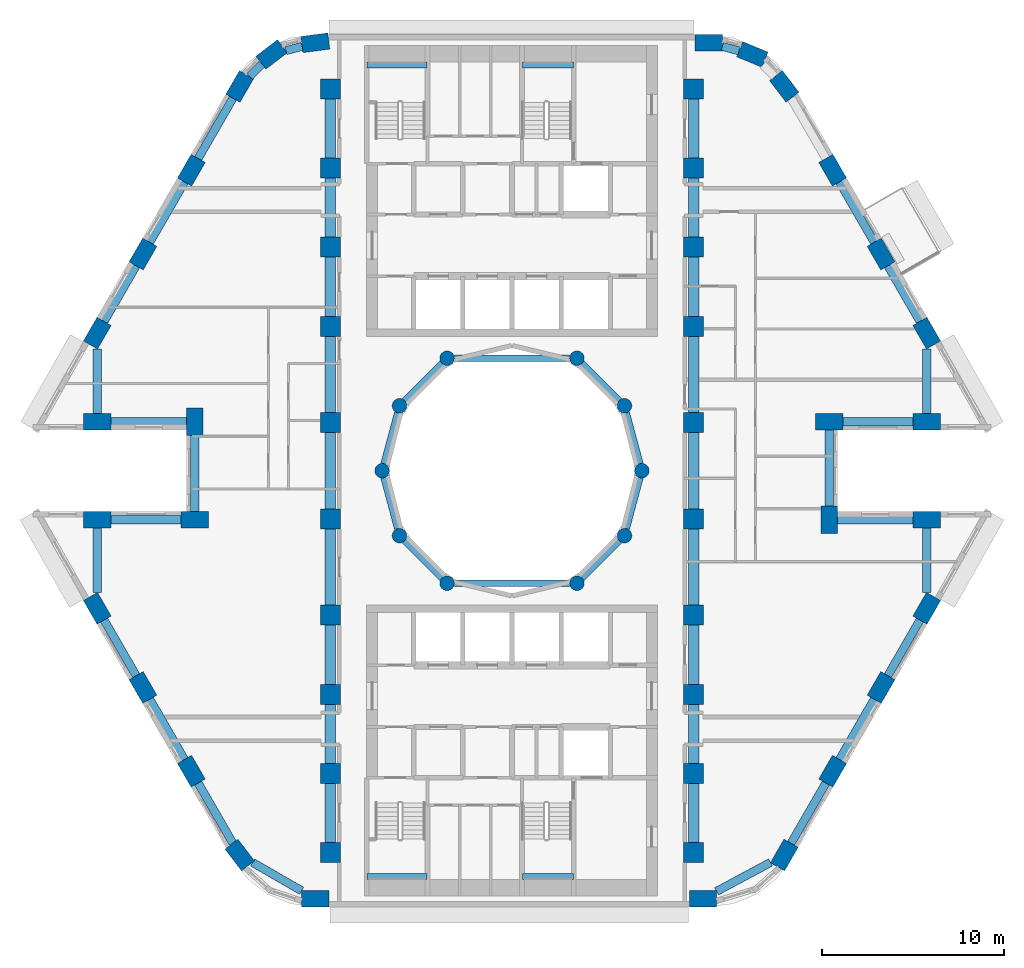
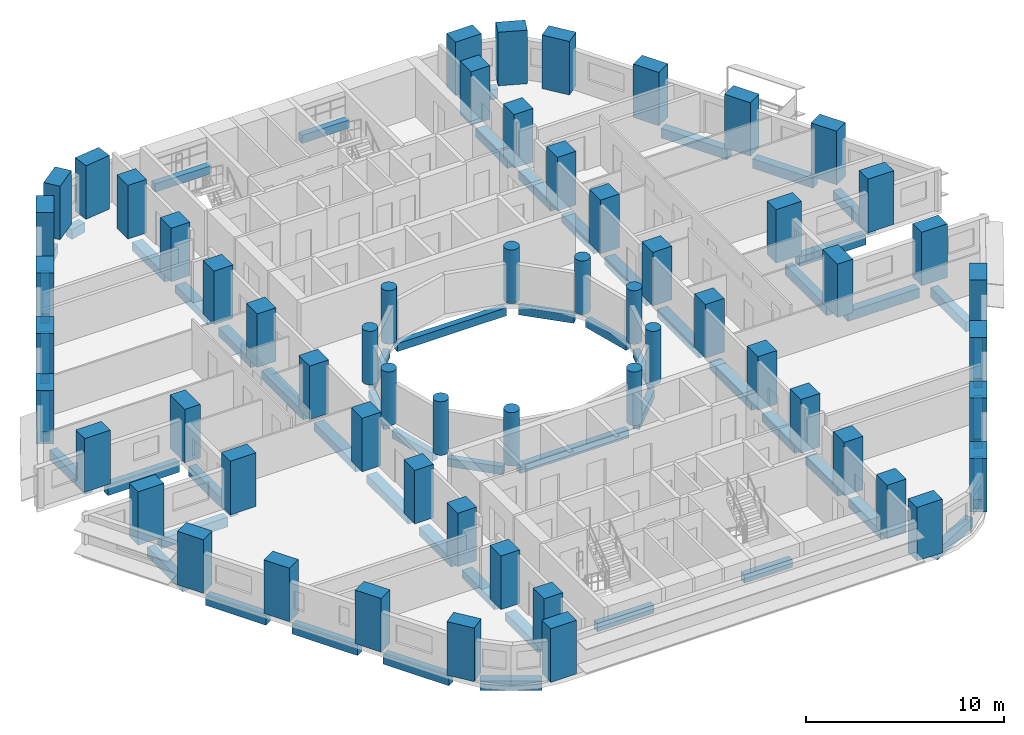
# One storey, part 1 of 13: 60 columns, 58 beams.
"""IFC4 building model written with IfcOpenShell, lengths in metres."""

from ifc_helpers import new_model, si_unit, direction, frame, origin, origin_2d, place, context, subcontext, project, spatial, rectangle, circle, extrude, material, material_profile, profile_set, type_object, element, save


model = new_model("IFC4")

# Units and contexts
model_context = context("Model", 3, precision=1e-05, world=origin(), true_north=direction((0.0, 1.0)))
body_context = subcontext(model_context, "Body", "Model", "MODEL_VIEW")
ifc_project = project(units=[si_unit("LENGTHUNIT", "METRE"), si_unit("AREAUNIT", "SQUARE_METRE"), si_unit("VOLUMEUNIT", "CUBIC_METRE"), si_unit("PLANEANGLEUNIT", "RADIAN"), si_unit("MASSUNIT", "GRAM", prefix="KILO")], contexts=[model_context])

# Site, building, storey
site_placement = place(None, origin())
site = spatial("IfcSite", under=ifc_project, at=site_placement, CompositionType="ELEMENT")
building_placement = place(site_placement, origin())
building = spatial("IfcBuilding", under=site, at=building_placement, Name="Nakaniwa Court", CompositionType="ELEMENT")
storey_placement = place(building_placement, frame((0.0, 0.0, 61.199951171875)))
storey = spatial("IfcBuildingStorey", under=building, at=storey_placement, Name="L16", CompositionType="ELEMENT", Elevation=61.199951171875)

# Columns
ifc_material_1 = material(Name="Concrete C100/115", Category="concrete")
ifc_material_profile_1 = material_profile(ifc_material_1, rectangle(XDim=1.10009765625, YDim=1.10009765625, at=origin_2d()), Name="Concrete C100/115 RC 1100x1100 spine column")
ifc_profile_set_1 = profile_set([ifc_material_profile_1], Name="Concrete C100/115")
column_type_1 = type_object("IfcColumnType", Name="Concrete C100/115 RC 1100x1100 spine column", PredefinedType="COLUMN", material=ifc_profile_set_1)
for number, where, z_axis, x_axis, name in (
    (1, (90.0, 59.0, 0.0), (0.0, 0.0, 1.0), (0.0, 1.0, 0.0), "COLUMN CS-01"),
    (2, (90.0, 63.35009765625, 0.0), (0.0, 0.0, 1.0), (0.0, 1.0, 0.0), "COLUMN CS-02"),
    (3, (90.0, 67.699951171875, 0.0), (0.0, 0.0, 1.0), (0.0, 1.0, 0.0), "COLUMN CS-03"),
    (4, (90.0, 72.050048828125, 0.0), (0.0, 0.0, 1.0), (0.0, 1.0, 0.0), "COLUMN CS-04"),
    (5, (90.0, 77.35009765625, 0.0), (0.0, 0.0, 1.0), (0.0, 1.0, 0.0), "COLUMN CS-05"),
    (6, (90.0, 82.64990234375, 0.0), (0.0, 0.0, 1.0), (0.0, 1.0, 0.0), "COLUMN CS-06"),
    (7, (90.0, 87.949951171875, 0.0), (0.0, 0.0, 1.0), (0.0, 1.0, 0.0), "COLUMN CS-07"),
    (8, (90.0, 92.300048828125, 0.0), (0.0, 0.0, 1.0), (0.0, 1.0, 0.0), "COLUMN CS-08"),
    (9, (90.0, 96.64990234375, 0.0), (0.0, 0.0, 1.0), (0.0, 1.0, 0.0), "COLUMN CS-09"),
    (10, (90.0, 101.0, 0.0), (0.0, 0.0, 1.0), (0.0, 1.0, 0.0), "COLUMN CS-10"),
    (11, (70.0, 101.0, 0.0), (0.0, 0.0, 1.0), (0.0, -1.0, 0.0), "COLUMN CS-11"),
    (12, (70.0, 96.64990234375, 0.0), (0.0, 0.0, 1.0), (0.0, -1.0, 0.0), "COLUMN CS-12"),
    (13, (70.0, 92.300048828125, 0.0), (0.0, 0.0, 1.0), (0.0, -1.0, 0.0), "COLUMN CS-13"),
    (14, (70.0, 87.949951171875, 0.0), (0.0, 0.0, 1.0), (0.0, -1.0, 0.0), "COLUMN CS-14"),
    (15, (70.0, 82.64990234375, 0.0), (0.0, 0.0, 1.0), (0.0, -1.0, 0.0), "COLUMN CS-15"),
    (16, (70.0, 77.35009765625, 0.0), (0.0, 0.0, 1.0), (0.0, -1.0, 0.0), "COLUMN CS-16"),
    (17, (70.0, 72.050048828125, 0.0), (0.0, 0.0, 1.0), (0.0, -1.0, 0.0), "COLUMN CS-17"),
    (18, (70.0, 67.699951171875, 0.0), (0.0, 0.0, 1.0), (0.0, -1.0, 0.0), "COLUMN CS-18"),
    (19, (70.0, 63.35009765625, 0.0), (0.0, 0.0, 1.0), (0.0, -1.0, 0.0), "COLUMN CS-19"),
    (20, (70.0, 59.0, 0.0), (0.0, 0.0, 1.0), (0.0, -1.0, 0.0), "COLUMN CS-20"),
):
    element("IfcColumn", number, at=place(storey_placement, frame(where, z_axis=z_axis, x_axis=x_axis)), inside=storey, type_object=column_type_1, Name=name, PredefinedType="COLUMN", context=body_context, shape_type="SweptSolid", body=[
        extrude(rectangle(XDim=1.10009765625, YDim=1.10009765625, at=origin_2d()), origin(), (0.0, 0.0, 1.0), 3.300048828125),
    ])
ifc_material_profile_2 = material_profile(ifc_material_1, rectangle(XDim=1.5, YDim=0.89990234375, at=origin_2d()), Name="Concrete C100/115 RC 1500x900 perimeter column")
ifc_profile_set_2 = profile_set([ifc_material_profile_2], Name="Concrete C100/115")
column_type_2 = type_object("IfcColumnType", Name="Concrete C100/115 RC 1500x900 perimeter column", PredefinedType="COLUMN", material=ifc_profile_set_2)
for number, where, z_axis, x_axis, name in (
    (21, (69.17529296875, 103.550048828125, 0.0), (0.0, 0.0, 1.0), (-0.991442583111, -0.130543496177, 0.0), "COLUMN CO-01"),
    (22, (66.772705078125, 102.91015625, 0.0), (0.0, 0.0, 1.0), (-0.793363965062, -0.608747582288, 0.0), "COLUMN CO-02"),
    (23, (65.017578125, 101.1494140625, 0.0), (0.0, 0.0, 1.0), (-0.5, -0.866025403784, 0.0), "COLUMN CO-03"),
    (24, (62.3544921875, 96.537109375, 0.0), (0.0, 0.0, 1.0), (-0.5, -0.866025403784, 0.0), "COLUMN CO-04"),
    (25, (59.691650390625, 91.9248046875, 0.0), (0.0, 0.0, 1.0), (-0.5, -0.866025403784, 0.0), "COLUMN CO-05"),
    (26, (57.177001953125, 87.569580078125, 0.0), (0.0, 0.0, 1.0), (-0.5, -0.866025403784, 0.0), "COLUMN CO-06"),
    (27, (57.177001953125, 82.699951171875, 0.0), (0.0, 0.0, 1.0), (1.0, 0.0, 0.0), "COLUMN CO-08"),
    (28, (62.54150390625, 82.699951171875, 0.0), (0.0, 0.0, 1.0), (0.0, -1.0, 0.0), "COLUMN CO-09"),
    (29, (62.54150390625, 77.300048828125, 0.0), (0.0, 0.0, 1.0), (-1.0, 0.0, 0.0), "COLUMN CO-10"),
    (30, (57.177001953125, 77.300048828125, 0.0), (0.0, 0.0, 1.0), (-1.0, 0.0, 0.0), "COLUMN CO-11"),
    (31, (57.177001953125, 72.430419921875, 0.0), (0.0, 0.0, 1.0), (0.5, -0.866025403784, 0.0), "COLUMN CO-13"),
    (32, (59.691650390625, 68.0751953125, 0.0), (0.0, 0.0, 1.0), (0.5, -0.866025403784, 0.0), "COLUMN CO-14"),
    (33, (62.3544921875, 63.462890625, 0.0), (0.0, 0.0, 1.0), (0.5, -0.866025403784, 0.0), "COLUMN CO-15"),
    (34, (65.017578125, 58.8505859375, 0.0), (0.0, 0.0, 1.0), (0.608761429009, -0.793353340291, 0.0), "COLUMN CO-16"),
    (35, (69.17529296875, 56.449951171875, 0.0), (0.0, 0.0, 1.0), (1.0, 0.0, 0.0), "COLUMN CO-17"),
    (36, (90.507080078125, 56.449951171875, 0.0), (0.0, 0.0, 1.0), (1.0, 0.0, 0.0), "COLUMN CO-21"),
    (37, (94.982421875, 58.8505859375, 0.0), (0.0, 0.0, 1.0), (0.5, 0.866025403784, 0.0), "COLUMN CO-22"),
    (38, (97.6455078125, 63.462890625, 0.0), (0.0, 0.0, 1.0), (0.5, 0.866025403784, 0.0), "COLUMN CO-23"),
    (39, (100.308349609375, 68.0751953125, 0.0), (0.0, 0.0, 1.0), (0.5, 0.866025403784, 0.0), "COLUMN CO-24"),
    (40, (102.822998046875, 72.430419921875, 0.0), (0.0, 0.0, 1.0), (0.5, 0.866025403784, 0.0), "COLUMN CO-25"),
    (41, (102.822998046875, 77.300048828125, 0.0), (0.0, 0.0, 1.0), (-1.0, 0.0, 0.0), "COLUMN CO-27"),
    (42, (97.45849609375, 77.300048828125, 0.0), (0.0, 0.0, 1.0), (0.0, 1.0, 0.0), "COLUMN CO-28"),
    (43, (97.45849609375, 82.699951171875, 0.0), (0.0, 0.0, 1.0), (1.0, 0.0, 0.0), "COLUMN CO-29"),
    (44, (102.822998046875, 82.699951171875, 0.0), (0.0, 0.0, 1.0), (1.0, 0.0, 0.0), "COLUMN CO-30"),
    (45, (102.822998046875, 87.569580078125, 0.0), (0.0, 0.0, 1.0), (-0.5, 0.866025403784, 0.0), "COLUMN CO-32"),
    (46, (100.308349609375, 91.9248046875, 0.0), (0.0, 0.0, 1.0), (-0.5, 0.866025403784, 0.0), "COLUMN CO-33"),
    (47, (97.6455078125, 96.537109375, 0.0), (0.0, 0.0, 1.0), (-0.5, 0.866025403784, 0.0), "COLUMN CO-34"),
    (48, (94.982421875, 101.1494140625, 0.0), (0.0, 0.0, 1.0), (-0.608761429009, 0.793353340291, 0.0), "COLUMN CO-35"),
    (49, (93.227294921875, 102.91015625, 0.0), (0.0, 0.0, 1.0), (-0.923879532511, 0.382683432365, 0.0), "COLUMN CO-36"),
    (50, (90.82470703125, 103.550048828125, 0.0), (0.0, 0.0, 1.0), (-1.0, 0.0, 0.0), "COLUMN CO-37"),
):
    element("IfcColumn", number, at=place(storey_placement, frame(where, z_axis=z_axis, x_axis=x_axis)), inside=storey, type_object=column_type_2, Name=name, PredefinedType="COLUMN", context=body_context, shape_type="SweptSolid", body=[
        extrude(rectangle(XDim=1.5, YDim=0.89990234375, at=origin_2d()), origin(), (0.0, 0.0, 1.0), 3.300048828125),
    ])
ifc_material_profile_3 = material_profile(ifc_material_1, circle(Radius=0.39990234375, at=origin_2d()), Name="Concrete C100/115 RC D800 inner ring column")
ifc_profile_set_3 = profile_set([ifc_material_profile_3], Name="Concrete C100/115")
column_type_3 = type_object("IfcColumnType", Name="Concrete C100/115 RC D800 inner ring column", PredefinedType="COLUMN", material=ifc_profile_set_3)
for number, where, z_axis, x_axis, name in (
    (51, (87.14990234375, 80.0, 0.0), (0.0, 0.0, 1.0), (0.0, 1.0, 0.0), "COLUMN CI-01"),
    (52, (86.192138671875, 83.574951171875, 0.0), (0.0, 0.0, 1.0), (-0.5, 0.866025403784, 0.0), "COLUMN CI-02"),
    (53, (83.574951171875, 86.192138671875, 0.0), (0.0, 0.0, 1.0), (-0.866025403784, 0.5, 0.0), "COLUMN CI-03"),
    (54, (76.425048828125, 86.192138671875, 0.0), (0.0, 0.0, 1.0), (-0.866025403784, -0.5, 0.0), "COLUMN CI-05"),
    (55, (73.807861328125, 83.574951171875, 0.0), (0.0, 0.0, 1.0), (-0.5, -0.866025403784, 0.0), "COLUMN CI-06"),
    (56, (72.85009765625, 80.0, 0.0), (0.0, 0.0, 1.0), (0.0, -1.0, 0.0), "COLUMN CI-07"),
    (57, (73.807861328125, 76.425048828125, 0.0), (0.0, 0.0, 1.0), (0.5, -0.866025403784, 0.0), "COLUMN CI-08"),
    (58, (76.425048828125, 73.807861328125, 0.0), (0.0, 0.0, 1.0), (0.866025403784, -0.5, 0.0), "COLUMN CI-09"),
    (59, (83.574951171875, 73.807861328125, 0.0), (0.0, 0.0, 1.0), (0.866025403784, 0.5, 0.0), "COLUMN CI-11"),
    (60, (86.192138671875, 76.425048828125, 0.0), (0.0, 0.0, 1.0), (0.5, 0.866025403784, 0.0), "COLUMN CI-12"),
):
    element("IfcColumn", number, at=place(storey_placement, frame(where, z_axis=z_axis, x_axis=x_axis)), inside=storey, type_object=column_type_3, Name=name, PredefinedType="COLUMN", context=body_context, shape_type="SweptSolid", body=[
        extrude(circle(Radius=0.39990234375, at=origin_2d()), origin(), (0.0, 0.0, 1.0), 3.300048828125),
    ])

# Beams
ifc_material_profile_4 = material_profile(ifc_material_1, rectangle(XDim=0.35009765625, YDim=0.5, at=origin_2d()), Name="Concrete C100/115 RC 350x500 ring beam")
ifc_profile_set_4 = profile_set([ifc_material_profile_4], Name="Concrete C100/115")
beam_type_1 = type_object("IfcBeamType", Name="Concrete C100/115 RC 350x500 ring beam", PredefinedType="BEAM", material=ifc_profile_set_4)
beam_1_placement = place(storey_placement, frame((87.04638671875, 80.386474609375, -0.52490234375), z_axis=(-0.258778150207, 0.965936783115, 0.0), x_axis=(-0.965936783115, -0.258778150207, 0.0)))
element("IfcBeam", 61, at=beam_1_placement, inside=storey, type_object=beam_type_1, Name="RING BEAM", PredefinedType="BEAM", context=body_context, shape_type="SweptSolid", body=[
    extrude(rectangle(XDim=0.35009765625, YDim=0.5, at=origin_2d()), origin(), (0.0, 0.0, 1.0), 2.901123046875),
])
beam_2_placement = place(storey_placement, frame((85.9091796875, 83.85791015625, -0.52490234375), z_axis=(-0.707106781187, 0.707106781187, 0.0), x_axis=(-0.707106781187, -0.707106781187, 0.0)))
element("IfcBeam", 62, at=beam_2_placement, inside=storey, type_object=beam_type_1, Name="RING BEAM", PredefinedType="BEAM", context=body_context, shape_type="SweptSolid", body=[
    extrude(rectangle(XDim=0.35009765625, YDim=0.5, at=origin_2d()), origin(), (0.0, 0.0, 1.0), 2.90087890625),
])
beam_3_placement = place(storey_placement, frame((83.175048828125, 86.192138671875, -0.52490234375), z_axis=(-1.0, 0.0, 0.0), x_axis=(0.0, -1.0, 0.0)))
element("IfcBeam", 63, at=beam_3_placement, inside=storey, type_object=beam_type_1, Name="RING BEAM", PredefinedType="BEAM", context=body_context, shape_type="SweptSolid", body=[
    extrude(rectangle(XDim=0.35009765625, YDim=0.5, at=origin_2d()), origin(), (0.0, 0.0, 1.0), 6.35009765625),
])
beam_4_placement = place(storey_placement, frame((76.14208984375, 85.9091796875, -0.52490234375), z_axis=(-0.707106781187, -0.707106781187, 0.0), x_axis=(0.707106781187, -0.707106781187, 0.0)))
element("IfcBeam", 64, at=beam_4_placement, inside=storey, type_object=beam_type_1, Name="RING BEAM", PredefinedType="BEAM", context=body_context, shape_type="SweptSolid", body=[
    extrude(rectangle(XDim=0.35009765625, YDim=0.5, at=origin_2d()), origin(), (0.0, 0.0, 1.0), 2.90087890625),
])
for number, where, z_axis, x_axis, name in (
    (65, (73.704345703125, 83.188720703125, -0.52490234375), (-0.258778150207, -0.965936783115, 0.0), (0.965936783115, -0.258778150207, 0.0), "RING BEAM"),
    (66, (72.95361328125, 79.613525390625, -0.52490234375), (0.258778150207, -0.965936783115, 0.0), (0.965936783115, 0.258778150207, 0.0), "RING BEAM"),
):
    element("IfcBeam", number, at=place(storey_placement, frame(where, z_axis=z_axis, x_axis=x_axis)), inside=storey, type_object=beam_type_1, Name=name, PredefinedType="BEAM", context=body_context, shape_type="SweptSolid", body=[
        extrude(rectangle(XDim=0.35009765625, YDim=0.5, at=origin_2d()), origin(), (0.0, 0.0, 1.0), 2.901123046875),
    ])
beam_5_placement = place(storey_placement, frame((74.0908203125, 76.14208984375, -0.52490234375), z_axis=(0.707106781187, -0.707106781187, 0.0), x_axis=(0.707106781187, 0.707106781187, 0.0)))
element("IfcBeam", 67, at=beam_5_placement, inside=storey, type_object=beam_type_1, Name="RING BEAM", PredefinedType="BEAM", context=body_context, shape_type="SweptSolid", body=[
    extrude(rectangle(XDim=0.35009765625, YDim=0.5, at=origin_2d()), origin(), (0.0, 0.0, 1.0), 2.90087890625),
])
beam_6_placement = place(storey_placement, frame((76.824951171875, 73.807861328125, -0.52490234375), z_axis=(1.0, 0.0, 0.0), x_axis=(0.0, 1.0, 0.0)))
element("IfcBeam", 68, at=beam_6_placement, inside=storey, type_object=beam_type_1, Name="RING BEAM", PredefinedType="BEAM", context=body_context, shape_type="SweptSolid", body=[
    extrude(rectangle(XDim=0.35009765625, YDim=0.5, at=origin_2d()), origin(), (0.0, 0.0, 1.0), 6.35009765625),
])
beam_7_placement = place(storey_placement, frame((83.85791015625, 74.0908203125, -0.52490234375), z_axis=(0.707106781187, 0.707106781187, 0.0), x_axis=(-0.707106781187, 0.707106781187, 0.0)))
element("IfcBeam", 69, at=beam_7_placement, inside=storey, type_object=beam_type_1, Name="RING BEAM", PredefinedType="BEAM", context=body_context, shape_type="SweptSolid", body=[
    extrude(rectangle(XDim=0.35009765625, YDim=0.5, at=origin_2d()), origin(), (0.0, 0.0, 1.0), 2.90087890625),
])
beam_8_placement = place(storey_placement, frame((86.295654296875, 76.811279296875, -0.52490234375), z_axis=(0.258778150207, 0.965936783115, 0.0), x_axis=(-0.965936783115, 0.258778150207, 0.0)))
element("IfcBeam", 70, at=beam_8_placement, inside=storey, type_object=beam_type_1, Name="RING BEAM", PredefinedType="BEAM", context=body_context, shape_type="SweptSolid", body=[
    extrude(rectangle(XDim=0.35009765625, YDim=0.5, at=origin_2d()), origin(), (0.0, 0.0, 1.0), 2.901123046875),
])
ifc_material_profile_5 = material_profile(ifc_material_1, rectangle(XDim=0.449951171875, YDim=0.60009765625, at=origin_2d()), Name="Concrete C100/115 RC 450x600 spandrel beam")
ifc_profile_set_5 = profile_set([ifc_material_profile_5], Name="Concrete C100/115")
beam_type_2 = type_object("IfcBeamType", Name="Concrete C100/115 RC 450x600 spandrel beam", PredefinedType="BEAM", material=ifc_profile_set_5)
beam_9_placement = place(storey_placement, frame((68.444580078125, 103.35546875, -0.574951171875), z_axis=(-0.966287893493, -0.25746399144, 0.0), x_axis=(0.25746399144, -0.966287893493, 0.0)))
element("IfcBeam", 71, at=beam_9_placement, inside=storey, type_object=beam_type_2, Name="SPANDREL BEAM", PredefinedType="BEAM", context=body_context, shape_type="SweptSolid", body=[
    extrude(rectangle(XDim=0.449951171875, YDim=0.60009765625, at=origin_2d()), origin(), (0.0, 0.0, 1.0), 0.91796875),
])
beam_10_placement = place(storey_placement, frame((66.238525390625, 102.374267578125, -0.574951171875), z_axis=(-0.706081618928, -0.708130459317, 0.0), x_axis=(0.708130459317, -0.706081618928, 0.0)))
element("IfcBeam", 72, at=beam_10_placement, inside=storey, type_object=beam_type_2, Name="SPANDREL BEAM", PredefinedType="BEAM", context=body_context, shape_type="SweptSolid", body=[
    extrude(rectangle(XDim=0.449951171875, YDim=0.60009765625, at=origin_2d()), origin(), (0.0, 0.0, 1.0), 0.953369140625),
])
beam_11_placement = place(storey_placement, frame((64.642578125, 100.5, -0.574951171875), z_axis=(-0.500009674092, -0.866019818373, 0.0), x_axis=(0.866019818373, -0.500009674092, 0.0)))
element("IfcBeam", 73, at=beam_11_placement, inside=storey, type_object=beam_type_2, Name="SPANDREL BEAM", PredefinedType="BEAM", context=body_context, shape_type="SweptSolid", body=[
    extrude(rectangle(XDim=0.449951171875, YDim=0.60009765625, at=origin_2d()), origin(), (0.0, 0.0, 1.0), 3.826171875),
])
beam_12_placement = place(storey_placement, frame((61.9794921875, 95.8876953125, -0.574951171875), z_axis=(-0.499961815444, -0.866047448526, 0.0), x_axis=(0.866047448526, -0.499961815444, 0.0)))
element("IfcBeam", 74, at=beam_12_placement, inside=storey, type_object=beam_type_2, Name="SPANDREL BEAM", PredefinedType="BEAM", context=body_context, shape_type="SweptSolid", body=[
    extrude(rectangle(XDim=0.449951171875, YDim=0.60009765625, at=origin_2d()), origin(), (0.0, 0.0, 1.0), 3.825927734375),
])
beam_13_placement = place(storey_placement, frame((59.316650390625, 91.275146484375, -0.574951171875), z_axis=(-0.500067800301, -0.865986255723, 0.0), x_axis=(0.865986255723, -0.500067800301, 0.0)))
element("IfcBeam", 75, at=beam_13_placement, inside=storey, type_object=beam_type_2, Name="SPANDREL BEAM", PredefinedType="BEAM", context=body_context, shape_type="SweptSolid", body=[
    extrude(rectangle(XDim=0.449951171875, YDim=0.60009765625, at=origin_2d()), origin(), (0.0, 0.0, 1.0), 3.52880859375),
])
beam_14_placement = place(storey_placement, frame((57.177001953125, 86.70361328125, -0.574951171875), z_axis=(0.0, -1.0, 0.0), x_axis=(1.0, 0.0, 0.0)))
element("IfcBeam", 76, at=beam_14_placement, inside=storey, type_object=beam_type_2, Name="SPANDREL BEAM", PredefinedType="BEAM", context=body_context, shape_type="SweptSolid", body=[
    extrude(rectangle(XDim=0.449951171875, YDim=0.60009765625, at=origin_2d()), origin(), (0.0, 0.0, 1.0), 3.5537109375),
])
beam_15_placement = place(storey_placement, frame((57.927001953125, 82.699951171875, -0.574951171875), z_axis=(1.0, 0.0, 0.0), x_axis=(0.0, 1.0, 0.0)))
element("IfcBeam", 77, at=beam_15_placement, inside=storey, type_object=beam_type_2, Name="SPANDREL BEAM", PredefinedType="BEAM", context=body_context, shape_type="SweptSolid", body=[
    extrude(rectangle(XDim=0.449951171875, YDim=0.60009765625, at=origin_2d()), origin(), (0.0, 0.0, 1.0), 4.16455078125),
])
beam_16_placement = place(storey_placement, frame((62.54150390625, 81.949951171875, -0.574951171875), z_axis=(0.0, -1.0, 0.0), x_axis=(1.0, 0.0, 0.0)))
element("IfcBeam", 78, at=beam_16_placement, inside=storey, type_object=beam_type_2, Name="SPANDREL BEAM", PredefinedType="BEAM", context=body_context, shape_type="SweptSolid", body=[
    extrude(rectangle(XDim=0.449951171875, YDim=0.60009765625, at=origin_2d()), origin(), (0.0, 0.0, 1.0), 4.199951171875),
])
beam_17_placement = place(storey_placement, frame((61.79150390625, 77.300048828125, -0.574951171875), z_axis=(-1.0, 0.0, 0.0), x_axis=(0.0, -1.0, 0.0)))
element("IfcBeam", 79, at=beam_17_placement, inside=storey, type_object=beam_type_2, Name="SPANDREL BEAM", PredefinedType="BEAM", context=body_context, shape_type="SweptSolid", body=[
    extrude(rectangle(XDim=0.449951171875, YDim=0.60009765625, at=origin_2d()), origin(), (0.0, 0.0, 1.0), 3.864501953125),
])
beam_18_placement = place(storey_placement, frame((57.177001953125, 76.85009765625, -0.574951171875), z_axis=(0.0, -1.0, 0.0), x_axis=(1.0, 0.0, 0.0)))
element("IfcBeam", 80, at=beam_18_placement, inside=storey, type_object=beam_type_2, Name="SPANDREL BEAM", PredefinedType="BEAM", context=body_context, shape_type="SweptSolid", body=[
    extrude(rectangle(XDim=0.449951171875, YDim=0.60009765625, at=origin_2d()), origin(), (0.0, 0.0, 1.0), 3.5537109375),
])
beam_19_placement = place(storey_placement, frame((57.552001953125, 71.78076171875, -0.574951171875), z_axis=(0.500067800301, -0.865986255723, 0.0), x_axis=(0.865986255723, 0.500067800301, 0.0)))
element("IfcBeam", 81, at=beam_19_placement, inside=storey, type_object=beam_type_2, Name="SPANDREL BEAM", PredefinedType="BEAM", context=body_context, shape_type="SweptSolid", body=[
    extrude(rectangle(XDim=0.449951171875, YDim=0.60009765625, at=origin_2d()), origin(), (0.0, 0.0, 1.0), 3.52880859375),
])
beam_20_placement = place(storey_placement, frame((60.066650390625, 67.42578125, -0.574951171875), z_axis=(0.499961815444, -0.866047448526, 0.0), x_axis=(0.866047448526, 0.499961815444, 0.0)))
element("IfcBeam", 82, at=beam_20_placement, inside=storey, type_object=beam_type_2, Name="SPANDREL BEAM", PredefinedType="BEAM", context=body_context, shape_type="SweptSolid", body=[
    extrude(rectangle(XDim=0.449951171875, YDim=0.60009765625, at=origin_2d()), origin(), (0.0, 0.0, 1.0), 3.825927734375),
])
beam_21_placement = place(storey_placement, frame((62.7294921875, 62.8134765625, -0.574951171875), z_axis=(0.500023067617, -0.86601208528, 0.0), x_axis=(0.86601208528, 0.500023067617, 0.0)))
element("IfcBeam", 83, at=beam_21_placement, inside=storey, type_object=beam_type_2, Name="SPANDREL BEAM", PredefinedType="BEAM", context=body_context, shape_type="SweptSolid", body=[
    extrude(rectangle(XDim=0.449951171875, YDim=0.60009765625, at=origin_2d()), origin(), (0.0, 0.0, 1.0), 3.819580078125),
])
beam_22_placement = place(storey_placement, frame((65.720458984375, 58.444580078125, -0.574951171875), z_axis=(0.866041096587, -0.499972818284, 0.0), x_axis=(0.499972818284, 0.866041096587, 0.0)))
element("IfcBeam", 84, at=beam_22_placement, inside=storey, type_object=beam_type_2, Name="SPANDREL BEAM", PredefinedType="BEAM", context=body_context, shape_type="SweptSolid", body=[
    extrude(rectangle(XDim=0.449951171875, YDim=0.60009765625, at=origin_2d()), origin(), (0.0, 0.0, 1.0), 3.123291015625),
])
beam_23_placement = place(storey_placement, frame((91.257080078125, 56.852294921875, -0.574951171875), z_axis=(0.881234537383, 0.472679267711, 0.0), x_axis=(-0.472679267711, 0.881234537383, 0.0)))
element("IfcBeam", 85, at=beam_23_placement, inside=storey, type_object=beam_type_2, Name="SPANDREL BEAM", PredefinedType="BEAM", context=body_context, shape_type="SweptSolid", body=[
    extrude(rectangle(XDim=0.449951171875, YDim=0.60009765625, at=origin_2d()), origin(), (0.0, 0.0, 1.0), 3.373291015625),
])
beam_24_placement = place(storey_placement, frame((95.357421875, 59.5, -0.574951171875), z_axis=(0.500009674092, 0.866019818373, 0.0), x_axis=(-0.866019818373, 0.500009674092, 0.0)))
element("IfcBeam", 86, at=beam_24_placement, inside=storey, type_object=beam_type_2, Name="SPANDREL BEAM", PredefinedType="BEAM", context=body_context, shape_type="SweptSolid", body=[
    extrude(rectangle(XDim=0.449951171875, YDim=0.60009765625, at=origin_2d()), origin(), (0.0, 0.0, 1.0), 3.826171875),
])
beam_25_placement = place(storey_placement, frame((98.0205078125, 64.1123046875, -0.574951171875), z_axis=(0.499961815444, 0.866047448526, 0.0), x_axis=(-0.866047448526, 0.499961815444, 0.0)))
element("IfcBeam", 87, at=beam_25_placement, inside=storey, type_object=beam_type_2, Name="SPANDREL BEAM", PredefinedType="BEAM", context=body_context, shape_type="SweptSolid", body=[
    extrude(rectangle(XDim=0.449951171875, YDim=0.60009765625, at=origin_2d()), origin(), (0.0, 0.0, 1.0), 3.825927734375),
])
beam_26_placement = place(storey_placement, frame((100.683349609375, 68.724853515625, -0.574951171875), z_axis=(0.500067800301, 0.865986255723, 0.0), x_axis=(-0.865986255723, 0.500067800301, 0.0)))
element("IfcBeam", 88, at=beam_26_placement, inside=storey, type_object=beam_type_2, Name="SPANDREL BEAM", PredefinedType="BEAM", context=body_context, shape_type="SweptSolid", body=[
    extrude(rectangle(XDim=0.449951171875, YDim=0.60009765625, at=origin_2d()), origin(), (0.0, 0.0, 1.0), 3.52880859375),
])
beam_27_placement = place(storey_placement, frame((102.822998046875, 73.29638671875, -0.574951171875), z_axis=(0.0, 1.0, 0.0), x_axis=(-1.0, 0.0, 0.0)))
element("IfcBeam", 89, at=beam_27_placement, inside=storey, type_object=beam_type_2, Name="SPANDREL BEAM", PredefinedType="BEAM", context=body_context, shape_type="SweptSolid", body=[
    extrude(rectangle(XDim=0.449951171875, YDim=0.60009765625, at=origin_2d()), origin(), (0.0, 0.0, 1.0), 3.5537109375),
])
beam_28_placement = place(storey_placement, frame((102.072998046875, 77.300048828125, -0.574951171875), z_axis=(-1.0, 0.0, 0.0), x_axis=(0.0, -1.0, 0.0)))
element("IfcBeam", 90, at=beam_28_placement, inside=storey, type_object=beam_type_2, Name="SPANDREL BEAM", PredefinedType="BEAM", context=body_context, shape_type="SweptSolid", body=[
    extrude(rectangle(XDim=0.449951171875, YDim=0.60009765625, at=origin_2d()), origin(), (0.0, 0.0, 1.0), 4.16455078125),
])
beam_29_placement = place(storey_placement, frame((97.45849609375, 78.050048828125, -0.574951171875), z_axis=(0.0, 1.0, 0.0), x_axis=(-1.0, 0.0, 0.0)))
element("IfcBeam", 91, at=beam_29_placement, inside=storey, type_object=beam_type_2, Name="SPANDREL BEAM", PredefinedType="BEAM", context=body_context, shape_type="SweptSolid", body=[
    extrude(rectangle(XDim=0.449951171875, YDim=0.60009765625, at=origin_2d()), origin(), (0.0, 0.0, 1.0), 4.199951171875),
])
beam_30_placement = place(storey_placement, frame((98.20849609375, 82.699951171875, -0.574951171875), z_axis=(1.0, 0.0, 0.0), x_axis=(0.0, 1.0, 0.0)))
element("IfcBeam", 92, at=beam_30_placement, inside=storey, type_object=beam_type_2, Name="SPANDREL BEAM", PredefinedType="BEAM", context=body_context, shape_type="SweptSolid", body=[
    extrude(rectangle(XDim=0.449951171875, YDim=0.60009765625, at=origin_2d()), origin(), (0.0, 0.0, 1.0), 3.864501953125),
])
beam_31_placement = place(storey_placement, frame((102.822998046875, 83.14990234375, -0.574951171875), z_axis=(0.0, 1.0, 0.0), x_axis=(-1.0, 0.0, 0.0)))
element("IfcBeam", 93, at=beam_31_placement, inside=storey, type_object=beam_type_2, Name="SPANDREL BEAM", PredefinedType="BEAM", context=body_context, shape_type="SweptSolid", body=[
    extrude(rectangle(XDim=0.449951171875, YDim=0.60009765625, at=origin_2d()), origin(), (0.0, 0.0, 1.0), 3.5537109375),
])
beam_32_placement = place(storey_placement, frame((102.447998046875, 88.21923828125, -0.574951171875), z_axis=(-0.500067800301, 0.865986255723, 0.0), x_axis=(-0.865986255723, -0.500067800301, 0.0)))
element("IfcBeam", 94, at=beam_32_placement, inside=storey, type_object=beam_type_2, Name="SPANDREL BEAM", PredefinedType="BEAM", context=body_context, shape_type="SweptSolid", body=[
    extrude(rectangle(XDim=0.449951171875, YDim=0.60009765625, at=origin_2d()), origin(), (0.0, 0.0, 1.0), 3.52880859375),
])
beam_33_placement = place(storey_placement, frame((99.933349609375, 92.57421875, -0.574951171875), z_axis=(-0.499961815444, 0.866047448526, 0.0), x_axis=(-0.866047448526, -0.499961815444, 0.0)))
element("IfcBeam", 95, at=beam_33_placement, inside=storey, type_object=beam_type_2, Name="SPANDREL BEAM", PredefinedType="BEAM", context=body_context, shape_type="SweptSolid", body=[
    extrude(rectangle(XDim=0.449951171875, YDim=0.60009765625, at=origin_2d()), origin(), (0.0, 0.0, 1.0), 3.825927734375),
])
beam_34_placement = place(storey_placement, frame((92.49609375, 103.10498046875, -0.574951171875), z_axis=(-0.966324126494, 0.257327966912, 0.0), x_axis=(-0.257327966912, -0.966324126494, 0.0)))
element("IfcBeam", 96, at=beam_34_placement, inside=storey, type_object=beam_type_2, Name="SPANDREL BEAM", PredefinedType="BEAM", context=body_context, shape_type="SweptSolid", body=[
    extrude(rectangle(XDim=0.449951171875, YDim=0.60009765625, at=origin_2d()), origin(), (0.0, 0.0, 1.0), 0.95361328125),
])
ifc_material_profile_6 = material_profile(ifc_material_1, rectangle(XDim=0.60009765625, YDim=0.5, at=origin_2d()), Name="Concrete C100/115 RC 600x500 ring beam")
ifc_profile_set_6 = profile_set([ifc_material_profile_6], Name="Concrete C100/115")
beam_type_3 = type_object("IfcBeamType", Name="Concrete C100/115 RC 600x500 ring beam", PredefinedType="BEAM", material=ifc_profile_set_6)
for number, where, z_axis, x_axis, name in (
    (97, (90.0, 59.550048828125, -0.52490234375), (0.0, 1.0, 0.0), (-1.0, 0.0, 0.0), "RING BEAM"),
    (98, (90.0, 63.89990234375, -0.52490234375), (0.0, 1.0, 0.0), (-1.0, 0.0, 0.0), "RING BEAM"),
    (99, (90.0, 68.25, -0.52490234375), (0.0, 1.0, 0.0), (-1.0, 0.0, 0.0), "RING BEAM"),
):
    element("IfcBeam", number, at=place(storey_placement, frame(where, z_axis=z_axis, x_axis=x_axis)), inside=storey, type_object=beam_type_3, Name=name, PredefinedType="BEAM", context=body_context, shape_type="SweptSolid", body=[
        extrude(rectangle(XDim=0.60009765625, YDim=0.5, at=origin_2d()), origin(), (0.0, 0.0, 1.0), 3.25),
    ])
beam_35_placement = place(storey_placement, frame((90.0, 72.60009765625, -0.52490234375), z_axis=(0.0, 1.0, 0.0), x_axis=(-1.0, 0.0, 0.0)))
element("IfcBeam", 100, at=beam_35_placement, inside=storey, type_object=beam_type_3, Name="RING BEAM", PredefinedType="BEAM", context=body_context, shape_type="SweptSolid", body=[
    extrude(rectangle(XDim=0.60009765625, YDim=0.5, at=origin_2d()), origin(), (0.0, 0.0, 1.0), 4.199951171875),
])
beam_36_placement = place(storey_placement, frame((90.0, 77.89990234375, -0.52490234375), z_axis=(0.0, 1.0, 0.0), x_axis=(-1.0, 0.0, 0.0)))
element("IfcBeam", 101, at=beam_36_placement, inside=storey, type_object=beam_type_3, Name="RING BEAM", PredefinedType="BEAM", context=body_context, shape_type="SweptSolid", body=[
    extrude(rectangle(XDim=0.60009765625, YDim=0.5, at=origin_2d()), origin(), (0.0, 0.0, 1.0), 4.2001953125),
])
beam_37_placement = place(storey_placement, frame((90.0, 83.199951171875, -0.52490234375), z_axis=(0.0, 1.0, 0.0), x_axis=(-1.0, 0.0, 0.0)))
element("IfcBeam", 102, at=beam_37_placement, inside=storey, type_object=beam_type_3, Name="RING BEAM", PredefinedType="BEAM", context=body_context, shape_type="SweptSolid", body=[
    extrude(rectangle(XDim=0.60009765625, YDim=0.5, at=origin_2d()), origin(), (0.0, 0.0, 1.0), 4.199951171875),
])
for number, where, z_axis, x_axis, name in (
    (103, (90.0, 88.5, -0.52490234375), (0.0, 1.0, 0.0), (-1.0, 0.0, 0.0), "RING BEAM"),
    (104, (90.0, 92.85009765625, -0.52490234375), (0.0, 1.0, 0.0), (-1.0, 0.0, 0.0), "RING BEAM"),
    (105, (90.0, 97.199951171875, -0.52490234375), (0.0, 1.0, 0.0), (-1.0, 0.0, 0.0), "RING BEAM"),
    (106, (70.0, 100.449951171875, -0.52490234375), (0.0, -1.0, 0.0), (1.0, 0.0, 0.0), "RING BEAM"),
    (107, (70.0, 96.10009765625, -0.52490234375), (0.0, -1.0, 0.0), (1.0, 0.0, 0.0), "RING BEAM"),
    (108, (70.0, 91.75, -0.52490234375), (0.0, -1.0, 0.0), (1.0, 0.0, 0.0), "RING BEAM"),
):
    element("IfcBeam", number, at=place(storey_placement, frame(where, z_axis=z_axis, x_axis=x_axis)), inside=storey, type_object=beam_type_3, Name=name, PredefinedType="BEAM", context=body_context, shape_type="SweptSolid", body=[
        extrude(rectangle(XDim=0.60009765625, YDim=0.5, at=origin_2d()), origin(), (0.0, 0.0, 1.0), 3.25),
    ])
beam_38_placement = place(storey_placement, frame((70.0, 87.39990234375, -0.52490234375), z_axis=(0.0, -1.0, 0.0), x_axis=(1.0, 0.0, 0.0)))
element("IfcBeam", 109, at=beam_38_placement, inside=storey, type_object=beam_type_3, Name="RING BEAM", PredefinedType="BEAM", context=body_context, shape_type="SweptSolid", body=[
    extrude(rectangle(XDim=0.60009765625, YDim=0.5, at=origin_2d()), origin(), (0.0, 0.0, 1.0), 4.199951171875),
])
beam_39_placement = place(storey_placement, frame((70.0, 82.10009765625, -0.52490234375), z_axis=(0.0, -1.0, 0.0), x_axis=(1.0, 0.0, 0.0)))
element("IfcBeam", 110, at=beam_39_placement, inside=storey, type_object=beam_type_3, Name="RING BEAM", PredefinedType="BEAM", context=body_context, shape_type="SweptSolid", body=[
    extrude(rectangle(XDim=0.60009765625, YDim=0.5, at=origin_2d()), origin(), (0.0, 0.0, 1.0), 4.2001953125),
])
beam_40_placement = place(storey_placement, frame((70.0, 76.800048828125, -0.52490234375), z_axis=(0.0, -1.0, 0.0), x_axis=(1.0, 0.0, 0.0)))
element("IfcBeam", 111, at=beam_40_placement, inside=storey, type_object=beam_type_3, Name="RING BEAM", PredefinedType="BEAM", context=body_context, shape_type="SweptSolid", body=[
    extrude(rectangle(XDim=0.60009765625, YDim=0.5, at=origin_2d()), origin(), (0.0, 0.0, 1.0), 4.199951171875),
])
for number, where, z_axis, x_axis, name in (
    (112, (70.0, 71.5, -0.52490234375), (0.0, -1.0, 0.0), (1.0, 0.0, 0.0), "RING BEAM"),
    (113, (70.0, 67.14990234375, -0.52490234375), (0.0, -1.0, 0.0), (1.0, 0.0, 0.0), "RING BEAM"),
    (114, (70.0, 62.800048828125, -0.52490234375), (0.0, -1.0, 0.0), (1.0, 0.0, 0.0), "RING BEAM"),
):
    element("IfcBeam", number, at=place(storey_placement, frame(where, z_axis=z_axis, x_axis=x_axis)), inside=storey, type_object=beam_type_3, Name=name, PredefinedType="BEAM", context=body_context, shape_type="SweptSolid", body=[
        extrude(rectangle(XDim=0.60009765625, YDim=0.5, at=origin_2d()), origin(), (0.0, 0.0, 1.0), 3.25),
    ])
ifc_material_2 = material(Name="Concrete C80/100", Category="concrete")
ifc_material_profile_7 = material_profile(ifc_material_2, rectangle(XDim=0.35009765625, YDim=0.5, at=origin_2d()), Name="Concrete C80/100 RC 350x500 landing ledge beam")
ifc_profile_set_7 = profile_set([ifc_material_profile_7], Name="Concrete C80/100")
beam_type_4 = type_object("IfcBeamType", Name="Concrete C80/100 RC 350x500 landing ledge beam", PredefinedType="BEAM", material=ifc_profile_set_7)
beam_41_placement = place(storey_placement, frame((72.02490234375, 102.324951171875, 1.199951171875), z_axis=(1.0, 0.0, 0.0), x_axis=(0.0, 1.0, 0.0)))
element("IfcBeam", 115, at=beam_41_placement, inside=storey, type_object=beam_type_4, Name="LANDING LEDGE BEAM", PredefinedType="BEAM", context=body_context, shape_type="SweptSolid", body=[
    extrude(rectangle(XDim=0.35009765625, YDim=0.5, at=origin_2d()), origin(), (0.0, 0.0, 1.0), 3.300048828125),
])
beam_42_placement = place(storey_placement, frame((80.574951171875, 102.324951171875, 1.199951171875), z_axis=(1.0, 0.0, 0.0), x_axis=(0.0, 1.0, 0.0)))
element("IfcBeam", 116, at=beam_42_placement, inside=storey, type_object=beam_type_4, Name="LANDING LEDGE BEAM", PredefinedType="BEAM", context=body_context, shape_type="SweptSolid", body=[
    extrude(rectangle(XDim=0.35009765625, YDim=0.5, at=origin_2d()), origin(), (0.0, 0.0, 1.0), 2.800048828125),
])
beam_43_placement = place(storey_placement, frame((72.02490234375, 57.675048828125, 1.199951171875), z_axis=(1.0, 0.0, 0.0), x_axis=(0.0, 1.0, 0.0)))
element("IfcBeam", 117, at=beam_43_placement, inside=storey, type_object=beam_type_4, Name="LANDING LEDGE BEAM", PredefinedType="BEAM", context=body_context, shape_type="SweptSolid", body=[
    extrude(rectangle(XDim=0.35009765625, YDim=0.5, at=origin_2d()), origin(), (0.0, 0.0, 1.0), 3.300048828125),
])
beam_44_placement = place(storey_placement, frame((80.574951171875, 57.675048828125, 1.199951171875), z_axis=(1.0, 0.0, 0.0), x_axis=(0.0, 1.0, 0.0)))
element("IfcBeam", 118, at=beam_44_placement, inside=storey, type_object=beam_type_4, Name="LANDING LEDGE BEAM", PredefinedType="BEAM", context=body_context, shape_type="SweptSolid", body=[
    extrude(rectangle(XDim=0.35009765625, YDim=0.5, at=origin_2d()), origin(), (0.0, 0.0, 1.0), 2.800048828125),
])

save(model, "model.ifc")
